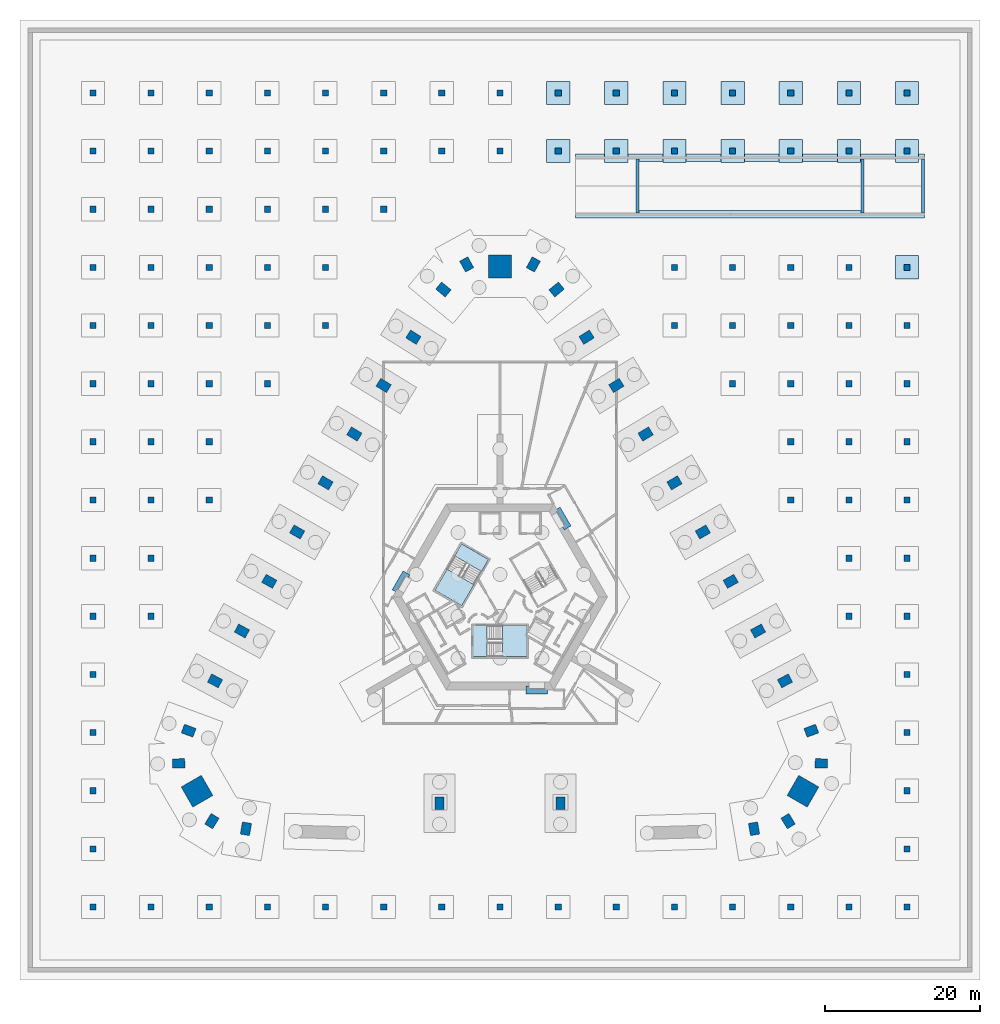
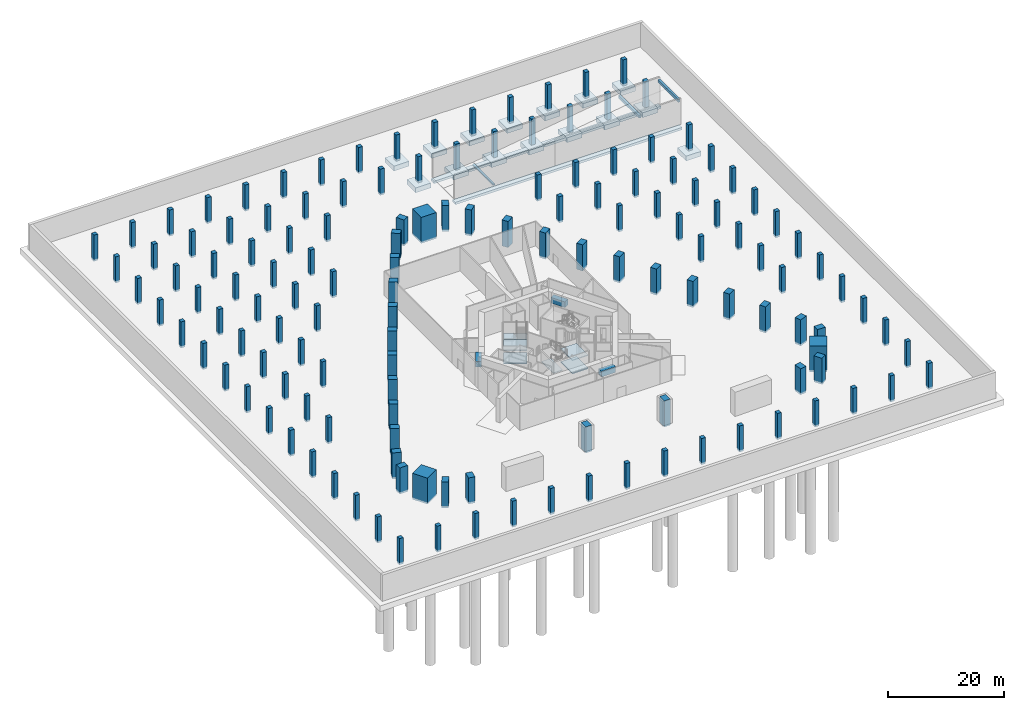
# One storey, part 3 of 14: 140 columns, 17 footings, 6 beams, 6 slabs, 2 elements without a shape of their own.
"""IFC4 building model written with IfcOpenShell, lengths in metres."""

import ifcopenshell
import ifcopenshell.guid

model = None  # the IFC model being written
_history = None  # IfcOwnerHistory: only IFC2X3 demands one
_inside = {}  # id of a spatial element -> (the spatial element, [elements in it])
_under = {}  # id of a project, library or spatial element -> (it, [spatial elements below it])
_declared = {}  # id of a project -> (the project, [libraries it declares])
_typed = {}  # id of a type object -> (the type object, [elements of that type])
_made_of = {}  # id of a material, layer set ... -> (it, [elements and type objects made of it])


def new_model(schema):
    """Start an empty IFC model of exactly this schema.

    Asked for "IFC4X3", IfcOpenShell would pick the latest addendum, in which some entities
    have other attributes; the version numbers below select the first issue.
    IFC2X3 requires an IfcOwnerHistory on every rooted entity: one is made here for all.
    """
    global model, _history
    if schema == "IFC4X3":
        model = ifcopenshell.file(schema_version=(4, 3, 0, 0))
    else:
        model = ifcopenshell.file(schema=schema)
    _inside.clear()
    _under.clear()
    _declared.clear()
    _typed.clear()
    _made_of.clear()
    _history = None
    if model.schema == "IFC2X3":
        org = make("IfcOrganization", Name="unknown")
        user = make(
            "IfcPersonAndOrganization",
            ThePerson=make("IfcPerson", FamilyName="unknown"),
            TheOrganization=org,
        )
        app = make(
            "IfcApplication",
            ApplicationDeveloper=org,
            Version="unknown",
            ApplicationFullName="unknown",
            ApplicationIdentifier="unknown",
        )
        _history = make(
            "IfcOwnerHistory",
            OwningUser=user,
            OwningApplication=app,
            ChangeAction="ADDED",
            CreationDate=0,
        )
    return model


def make(cls, **values):
    """One entity of the class cls with the attributes given. An attribute that is None is left unset."""
    return model.create_entity(
        cls, **{name: value for name, value in values.items() if value is not None}
    )


def rooted(cls, **values):
    """An entity with a GlobalId (a new one), such as an element, a storey or a relation."""
    return make(cls, GlobalId=ifcopenshell.guid.new(), OwnerHistory=_history, **values)


def si_unit(unit_type, name, prefix=None):
    """IfcSIUnit, for example si_unit("LENGTHUNIT", "METRE", prefix="MILLI")."""
    return make("IfcSIUnit", UnitType=unit_type, Prefix=prefix, Name=name)


def assignment(units):
    """IfcUnitAssignment: the units of a project."""
    return None if units is None else make("IfcUnitAssignment", Units=units)


def point(xyz):
    """IfcCartesianPoint."""
    return None if xyz is None else make("IfcCartesianPoint", Coordinates=xyz)


def direction(xyz):
    """IfcDirection."""
    return None if xyz is None else make("IfcDirection", DirectionRatios=xyz)


def frame(location, z_axis=None, x_axis=None):
    """IfcAxis2Placement3D, a coordinate frame: its origin and axes. An axis left out is left unset."""
    return make(
        "IfcAxis2Placement3D",
        Location=point(location),
        Axis=direction(z_axis),
        RefDirection=direction(x_axis),
    )


def frame_2d(location, x_axis=None):
    """IfcAxis2Placement2D, a coordinate frame in the plane: its origin and x axis."""
    return make(
        "IfcAxis2Placement2D", Location=point(location), RefDirection=direction(x_axis)
    )


def origin():
    """The frame at (0, 0, 0) with its axes left unset."""
    return frame((0.0, 0.0, 0.0))


def origin_2d():
    """The frame at (0, 0) in the plane with its x axis left unset."""
    return frame_2d((0.0, 0.0))


def place(relative_to, where):
    """IfcLocalPlacement: puts the frame where relative to a parent placement (None: the world)."""
    return make(
        "IfcLocalPlacement", PlacementRelTo=relative_to, RelativePlacement=where
    )


def context(
    kind, dimensions, precision=None, world=None, true_north=None, identifier=None
):
    """IfcGeometricRepresentationContext, for example the 3D "Model" context."""
    return make(
        "IfcGeometricRepresentationContext",
        ContextIdentifier=identifier,
        ContextType=kind,
        CoordinateSpaceDimension=dimensions,
        Precision=precision,
        WorldCoordinateSystem=world,
        TrueNorth=true_north,
    )


def subcontext(parent, identifier, kind, view, scale=None):
    """IfcGeometricRepresentationSubContext, for example "Body" below "Model"."""
    return make(
        "IfcGeometricRepresentationSubContext",
        ContextIdentifier=identifier,
        ContextType=kind,
        ParentContext=parent,
        TargetScale=scale,
        TargetView=view,
    )


def project(units=None, contexts=None):
    """IfcProject with its units and contexts."""
    return rooted(
        "IfcProject",
        Name="project",
        RepresentationContexts=contexts,
        UnitsInContext=assignment(units),
    )


def spatial(cls, under=None, at=None, **own):
    """A site, building, storey or space (cls), placed at a placement, below another one or the project."""
    s = rooted(cls, ObjectPlacement=at, **own)
    if under is not None:
        _under.setdefault(under.id(), (under, []))[1].append(s)
    return s


def polyline(points):
    """IfcPolyline through the points."""
    return make("IfcPolyline", Points=[point(p) for p in points])


def profile(cls, at=None, kind="AREA", **sizes):
    """A parametric profile (cls). Its sizes go by their IFC names, for example OverallWidth=200.0."""
    return make(cls, ProfileType=kind, Position=at, **sizes)


def rectangle(**sizes):
    """IfcRectangleProfileDef."""
    return profile("IfcRectangleProfileDef", **sizes)


def outline(outer, holes=None, kind="AREA"):
    """IfcArbitraryClosedProfileDef: a profile drawn as a closed curve; with holes, ...WithVoids."""
    if holes is None:
        return make("IfcArbitraryClosedProfileDef", ProfileType=kind, OuterCurve=outer)
    return make(
        "IfcArbitraryProfileDefWithVoids",
        ProfileType=kind,
        OuterCurve=outer,
        InnerCurves=holes,
    )


def extrude(swept, where, along, depth):
    """IfcExtrudedAreaSolid: the profile swept, set in the frame where, extruded along a direction by depth."""
    return make(
        "IfcExtrudedAreaSolid",
        SweptArea=swept,
        Position=where,
        ExtrudedDirection=direction(along),
        Depth=depth,
    )


def shape(context_of_items, identifier, shape_type, items):
    """IfcShapeRepresentation: the items that make up one representation, for example the "Body"."""
    return make(
        "IfcShapeRepresentation",
        ContextOfItems=context_of_items,
        RepresentationIdentifier=identifier,
        RepresentationType=shape_type,
        Items=items,
    )


def material(Name=None, Category=None):
    """IfcMaterial."""
    return make("IfcMaterial", Name=Name, Category=Category)


def layer(
    of_material, thickness, ventilated=None, Name=None, Category=None, Priority=None
):
    """IfcMaterialLayer: one layer of a wall or slab, of a material (None: an air gap)."""
    return make(
        "IfcMaterialLayer",
        Material=of_material,
        LayerThickness=thickness,
        IsVentilated=ventilated,
        Name=Name,
        Category=Category,
        Priority=Priority,
    )


def layer_set(layers, Name=None):
    """IfcMaterialLayerSet."""
    return make("IfcMaterialLayerSet", MaterialLayers=layers, LayerSetName=Name)


def material_profile(
    of_material, cross_section, Name=None, Category=None, Priority=None
):
    """IfcMaterialProfile: a cross section and its material."""
    return make(
        "IfcMaterialProfile",
        Name=Name,
        Material=of_material,
        Profile=cross_section,
        Priority=Priority,
        Category=Category,
    )


def profile_set(profiles, Name=None, composite=None):
    """IfcMaterialProfileSet."""
    return make(
        "IfcMaterialProfileSet",
        Name=Name,
        MaterialProfiles=profiles,
        CompositeProfile=composite,
    )


def made_of(thing, what):
    """Note that an element or type object is made of a material, layer set ...; save() writes the relation."""
    if what is not None:
        _made_of.setdefault(what.id(), (what, []))[1].append(thing)
    return thing


def type_object(cls, material=None, **own):
    """A type object (cls), such as IfcWallType, which elements share."""
    return made_of(rooted(cls, **own), material)


def element(
    cls,
    number,
    at=None,
    inside=None,
    cuts=None,
    type_object=None,
    material=None,
    context=None,
    identifier="Body",
    shape_type=None,
    held_by="IfcProductDefinitionShape",
    body=None,
    shapes=None,
    **own,
):
    """One element of the class cls, such as IfcWall. Its Tag is "e" and its number.

    at: its placement. inside: the storey or other place that contains it. cuts: it is an
    opening in that element (IfcRelVoidsElement). A single representation is given by context,
    identifier, shape_type and body (its items); several are given by shapes. held_by: the class
    of the entity that holds the representations. save() writes the other relations.
    """
    e = rooted(cls, Tag="e%d" % number, ObjectPlacement=at, **own)
    if body is not None:
        shapes = [shape(context, identifier, shape_type, body)]
    if shapes is not None:
        e.Representation = make(held_by, Representations=shapes)
    if inside is not None:
        _inside.setdefault(inside.id(), (inside, []))[1].append(e)
    if cuts is not None:
        rooted(
            "IfcRelVoidsElement", RelatingBuildingElement=cuts, RelatedOpeningElement=e
        )
    if type_object is not None:
        _typed.setdefault(type_object.id(), (type_object, []))[1].append(e)
    return made_of(e, material)


def aggregate(whole, parts):
    """IfcRelAggregates: a whole, such as a stair, and the parts it consists of."""
    return rooted("IfcRelAggregates", RelatingObject=whole, RelatedObjects=parts)


def save(model, path):
    """Write the relations noted so far, then the file.

    IfcRelAggregates (storeys below a building ...), IfcRelContainedInSpatialStructure (elements
    in a storey), IfcRelDefinesByType, IfcRelAssociatesMaterial and IfcRelDeclares: one each for
    every whole, place, type object, material and project.
    """
    for whole, parts in _under.values():
        aggregate(whole, parts)
    for where, things in _inside.values():
        rooted(
            "IfcRelContainedInSpatialStructure",
            RelatedElements=things,
            RelatingStructure=where,
        )
    for kind, things in _typed.values():
        rooted("IfcRelDefinesByType", RelatedObjects=things, RelatingType=kind)
    for what, things in _made_of.values():
        rooted("IfcRelAssociatesMaterial", RelatedObjects=things, RelatingMaterial=what)
    for by, libraries in _declared.values():
        rooted("IfcRelDeclares", RelatingContext=by, RelatedDefinitions=libraries)
    model.write(path)


model = new_model("IFC4")

# Units and contexts
model_context = context("Model", 3, precision=1e-05, world=origin(), true_north=direction((0.0, 1.0)))
body_context = subcontext(model_context, "Body", "Model", "MODEL_VIEW")
ifc_project = project(units=[si_unit("LENGTHUNIT", "METRE"), si_unit("AREAUNIT", "SQUARE_METRE"), si_unit("VOLUMEUNIT", "CUBIC_METRE"), si_unit("PLANEANGLEUNIT", "RADIAN"), si_unit("MASSUNIT", "GRAM", prefix="KILO")], contexts=[model_context])

# Site, building, storey
site_placement = place(None, origin())
site = spatial("IfcSite", under=ifc_project, at=site_placement, CompositionType="ELEMENT")
building_placement = place(site_placement, origin())
building = spatial("IfcBuilding", under=site, at=building_placement, Name="Entoto Arch Interchange Tower", CompositionType="ELEMENT")
storey_placement = place(building_placement, frame((0.0, 0.0, -16.5)))
storey = spatial("IfcBuildingStorey", under=building, at=storey_placement, Name="B3", CompositionType="ELEMENT", Elevation=-16.5)

# Footings
ifc_material_1 = material(Name="Concrete C35/45", Category="concrete")
ifc_layer_1 = layer(ifc_material_1, 0.5)
ifc_layer_set_1 = layer_set([ifc_layer_1], Name="Concrete C35/45")
footing_type_1 = type_object("IfcFootingType", Name="Car ramp kerb strip footing 1000 C35/45", PredefinedType="STRIP_FOOTING", material=ifc_layer_set_1)
footing_1_placement = place(storey_placement, frame((0.0, 0.0, -0.89990234375)))
element("IfcFooting", 1, at=footing_1_placement, inside=storey, type_object=footing_type_1, Name="Car ramp R3 kerb strip footing", PredefinedType="STRIP_FOOTING", context=body_context, shape_type="SweptSolid", body=[
    extrude(outline(polyline([(54.75, 51.35009765625), (54.75, 52.35009765625), (9.75, 52.35009765625), (9.75, 51.35009765625), (54.75, 51.35009765625)])), origin(), (0.0, 0.0, 1.0), 0.5),
])
footing_2_placement = place(storey_placement, frame((0.0, 0.0, -0.89990234375)))
element("IfcFooting", 2, at=footing_2_placement, inside=storey, type_object=footing_type_1, Name="Car ramp R3 kerb strip footing", PredefinedType="STRIP_FOOTING", context=body_context, shape_type="SweptSolid", body=[
    extrude(outline(polyline([(54.75, 58.64990234375), (54.75, 59.64990234375), (9.75, 59.64990234375), (9.75, 58.64990234375), (54.75, 58.64990234375)])), origin(), (0.0, 0.0, 1.0), 0.5),
])
ifc_layer_2 = layer(ifc_material_1, 1.0)
ifc_layer_set_2 = layer_set([ifc_layer_2], Name="Concrete C35/45")
footing_type_2 = type_object("IfcFootingType", Name="Pad footing 3000 C35/45", PredefinedType="PAD_FOOTING", material=ifc_layer_set_2)
footing_3_placement = place(storey_placement, frame((0.0, 0.0, -1.39990234375)))
element("IfcFooting", 3, at=footing_3_placement, inside=storey, type_object=footing_type_2, Name="Pad footing +7.5 +60.0", PredefinedType="PAD_FOOTING", context=body_context, shape_type="SweptSolid", body=[
    extrude(outline(polyline([(9.0, 58.5), (9.0, 61.5), (6.0, 61.5), (6.0, 58.5), (9.0, 58.5)])), origin(), (0.0, 0.0, 1.0), 1.0),
])
footing_4_placement = place(storey_placement, frame((0.0, 0.0, -1.39990234375)))
element("IfcFooting", 4, at=footing_4_placement, inside=storey, type_object=footing_type_2, Name="Pad footing +7.5 +67.5", PredefinedType="PAD_FOOTING", context=body_context, shape_type="SweptSolid", body=[
    extrude(outline(polyline([(9.0, 66.0), (9.0, 69.0), (6.0, 69.0), (6.0, 66.0), (9.0, 66.0)])), origin(), (0.0, 0.0, 1.0), 1.0),
])
footing_5_placement = place(storey_placement, frame((0.0, 0.0, -1.39990234375)))
element("IfcFooting", 5, at=footing_5_placement, inside=storey, type_object=footing_type_2, Name="Pad footing +15.0 +60.0", PredefinedType="PAD_FOOTING", context=body_context, shape_type="SweptSolid", body=[
    extrude(outline(polyline([(16.5, 58.5), (16.5, 61.5), (13.5, 61.5), (13.5, 58.5), (16.5, 58.5)])), origin(), (0.0, 0.0, 1.0), 1.0),
])
footing_6_placement = place(storey_placement, frame((0.0, 0.0, -1.39990234375)))
element("IfcFooting", 6, at=footing_6_placement, inside=storey, type_object=footing_type_2, Name="Pad footing +15.0 +67.5", PredefinedType="PAD_FOOTING", context=body_context, shape_type="SweptSolid", body=[
    extrude(outline(polyline([(16.5, 66.0), (16.5, 69.0), (13.5, 69.0), (13.5, 66.0), (16.5, 66.0)])), origin(), (0.0, 0.0, 1.0), 1.0),
])
footing_7_placement = place(storey_placement, frame((0.0, 0.0, -1.39990234375)))
element("IfcFooting", 7, at=footing_7_placement, inside=storey, type_object=footing_type_2, Name="Pad footing +22.5 +60.0", PredefinedType="PAD_FOOTING", context=body_context, shape_type="SweptSolid", body=[
    extrude(outline(polyline([(24.0, 58.5), (24.0, 61.5), (21.0, 61.5), (21.0, 58.5), (24.0, 58.5)])), origin(), (0.0, 0.0, 1.0), 1.0),
])
footing_8_placement = place(storey_placement, frame((0.0, 0.0, -1.39990234375)))
element("IfcFooting", 8, at=footing_8_placement, inside=storey, type_object=footing_type_2, Name="Pad footing +22.5 +67.5", PredefinedType="PAD_FOOTING", context=body_context, shape_type="SweptSolid", body=[
    extrude(outline(polyline([(24.0, 66.0), (24.0, 69.0), (21.0, 69.0), (21.0, 66.0), (24.0, 66.0)])), origin(), (0.0, 0.0, 1.0), 1.0),
])
footing_9_placement = place(storey_placement, frame((0.0, 0.0, -1.39990234375)))
element("IfcFooting", 9, at=footing_9_placement, inside=storey, type_object=footing_type_2, Name="Pad footing +30.0 +60.0", PredefinedType="PAD_FOOTING", context=body_context, shape_type="SweptSolid", body=[
    extrude(outline(polyline([(31.5, 58.5), (31.5, 61.5), (28.5, 61.5), (28.5, 58.5), (31.5, 58.5)])), origin(), (0.0, 0.0, 1.0), 1.0),
])
footing_10_placement = place(storey_placement, frame((0.0, 0.0, -1.39990234375)))
element("IfcFooting", 10, at=footing_10_placement, inside=storey, type_object=footing_type_2, Name="Pad footing +30.0 +67.5", PredefinedType="PAD_FOOTING", context=body_context, shape_type="SweptSolid", body=[
    extrude(outline(polyline([(31.5, 66.0), (31.5, 69.0), (28.5, 69.0), (28.5, 66.0), (31.5, 66.0)])), origin(), (0.0, 0.0, 1.0), 1.0),
])
footing_11_placement = place(storey_placement, frame((0.0, 0.0, -1.39990234375)))
element("IfcFooting", 11, at=footing_11_placement, inside=storey, type_object=footing_type_2, Name="Pad footing +37.5 +60.0", PredefinedType="PAD_FOOTING", context=body_context, shape_type="SweptSolid", body=[
    extrude(outline(polyline([(39.0, 58.5), (39.0, 61.5), (36.0, 61.5), (36.0, 58.5), (39.0, 58.5)])), origin(), (0.0, 0.0, 1.0), 1.0),
])
footing_12_placement = place(storey_placement, frame((0.0, 0.0, -1.39990234375)))
element("IfcFooting", 12, at=footing_12_placement, inside=storey, type_object=footing_type_2, Name="Pad footing +37.5 +67.5", PredefinedType="PAD_FOOTING", context=body_context, shape_type="SweptSolid", body=[
    extrude(outline(polyline([(39.0, 66.0), (39.0, 69.0), (36.0, 69.0), (36.0, 66.0), (39.0, 66.0)])), origin(), (0.0, 0.0, 1.0), 1.0),
])
footing_13_placement = place(storey_placement, frame((0.0, 0.0, -1.39990234375)))
element("IfcFooting", 13, at=footing_13_placement, inside=storey, type_object=footing_type_2, Name="Pad footing +45.0 +60.0", PredefinedType="PAD_FOOTING", context=body_context, shape_type="SweptSolid", body=[
    extrude(outline(polyline([(46.5, 58.5), (46.5, 61.5), (43.5, 61.5), (43.5, 58.5), (46.5, 58.5)])), origin(), (0.0, 0.0, 1.0), 1.0),
])
footing_14_placement = place(storey_placement, frame((0.0, 0.0, -1.39990234375)))
element("IfcFooting", 14, at=footing_14_placement, inside=storey, type_object=footing_type_2, Name="Pad footing +45.0 +67.5", PredefinedType="PAD_FOOTING", context=body_context, shape_type="SweptSolid", body=[
    extrude(outline(polyline([(46.5, 66.0), (46.5, 69.0), (43.5, 69.0), (43.5, 66.0), (46.5, 66.0)])), origin(), (0.0, 0.0, 1.0), 1.0),
])
footing_15_placement = place(storey_placement, frame((0.0, 0.0, -1.39990234375)))
element("IfcFooting", 15, at=footing_15_placement, inside=storey, type_object=footing_type_2, Name="Pad footing +52.5 +45.0", PredefinedType="PAD_FOOTING", context=body_context, shape_type="SweptSolid", body=[
    extrude(outline(polyline([(54.0, 43.5), (54.0, 46.5), (51.0, 46.5), (51.0, 43.5), (54.0, 43.5)])), origin(), (0.0, 0.0, 1.0), 1.0),
])
footing_16_placement = place(storey_placement, frame((0.0, 0.0, -1.39990234375)))
element("IfcFooting", 16, at=footing_16_placement, inside=storey, type_object=footing_type_2, Name="Pad footing +52.5 +60.0", PredefinedType="PAD_FOOTING", context=body_context, shape_type="SweptSolid", body=[
    extrude(outline(polyline([(54.0, 58.5), (54.0, 61.5), (51.0, 61.5), (51.0, 58.5), (54.0, 58.5)])), origin(), (0.0, 0.0, 1.0), 1.0),
])
footing_17_placement = place(storey_placement, frame((0.0, 0.0, -1.39990234375)))
element("IfcFooting", 17, at=footing_17_placement, inside=storey, type_object=footing_type_2, Name="Pad footing +52.5 +67.5", PredefinedType="PAD_FOOTING", context=body_context, shape_type="SweptSolid", body=[
    extrude(outline(polyline([(54.0, 66.0), (54.0, 69.0), (51.0, 69.0), (51.0, 66.0), (54.0, 66.0)])), origin(), (0.0, 0.0, 1.0), 1.0),
])

# Columns
ifc_material_2 = material(Name="Concrete C60/75", Category="concrete")
ifc_material_profile_1 = material_profile(ifc_material_2, rectangle(XDim=1.199951171875, YDim=1.60009765625, at=origin_2d()))
ifc_profile_set_1 = profile_set([ifc_material_profile_1], Name="Concrete C60/75")
column_type_1 = type_object("IfcColumnType", Name="Column RC 1200x1600 C60/75", PredefinedType="COLUMN", material=ifc_profile_set_1)
for number, where, z_axis, x_axis, name in (
    (18, (-32.760986328125, -27.39697265625, -0.39990234375), (0.0, 0.0, 1.0), (-0.98600476771, 0.166717119856, 0.0), "Column S01 B3"),
    (19, (32.760986328125, -27.39697265625, -0.39990234375), (0.0, 0.0, 1.0), (0.98600476771, 0.166717119856, 0.0), "Column S06 B3"),
    (20, (37.152099609375, -26.410888671875, -0.39990234375), (0.0, 0.0, 1.0), (0.854522294989, 0.519414716163, 0.0), "Column SE1 B3"),
    (21, (41.447998046875, -18.968994140625, -0.39990234375), (0.0, 0.0, 1.0), (0.022565191802, 0.999745373642, 0.0), "Column SE3 B3"),
    (22, (40.14697265625, -14.7509765625, -0.39990234375), (0.0, 0.0, 1.0), (-0.348277574304, 0.937391450375, 0.0), "Column NE01 B3"),
    (23, (36.7529296875, -8.324951171875, -0.39990234375), (0.0, 0.0, 1.0), (-0.46931745221, 0.883029517656, 0.0), "Column NE02 B3"),
    (24, (33.282958984375, -1.888916015625, -0.39990234375), (0.0, 0.0, 1.0), (-0.478140110514, 0.878283573066, 0.0), "Column NE03 B3"),
    (25, (29.75, 4.511962890625, -0.39990234375), (0.0, 0.0, 1.0), (-0.486914781103, 0.873449481048, 0.0), "Column NE04 B3"),
    (26, (26.155029296875, 10.8798828125, -0.39990234375), (0.0, 0.0, 1.0), (-0.495655741916, 0.868519076074, 0.0), "Column NE05 B3"),
    (27, (22.5, 17.2109375, -0.39990234375), (0.0, 0.0, 1.0), (-0.504331712594, 0.863510002068, 0.0), "Column NE06 B3"),
    (28, (18.781982421875, 23.508056640625, -0.39990234375), (0.0, 0.0, 1.0), (-0.512972048958, 0.858405310438, 0.0), "Column NE07 B3"),
    (29, (15.0048828125, 29.76904296875, -0.39990234375), (0.0, 0.0, 1.0), (-0.521545830745, 0.853223268806, 0.0), "Column NE08 B3"),
    (30, (11.1669921875, 35.992919921875, -0.39990234375), (0.0, 0.0, 1.0), (-0.530067268476, 0.847955594881, 0.0), "Column NE09 B3"),
    (31, (7.299072265625, 42.14404296875, -0.39990234375), (0.0, 0.0, 1.0), (-0.637666022163, 0.770312952103, 0.0), "Column NE10 B3"),
    (32, (4.297119140625, 45.3798828125, -0.39990234375), (0.0, 0.0, 1.0), (-0.877079103306, 0.48034596547, 0.0), "Column N1 B3"),
    (33, (-4.297119140625, 45.3798828125, -0.39990234375), (0.0, 0.0, 1.0), (0.877079103306, 0.48034596547, 0.0), "Column N3 B3"),
    (34, (-7.299072265625, 42.14404296875, -0.39990234375), (0.0, 0.0, 1.0), (0.637666022163, 0.770312952103, 0.0), "Column NW01 B3"),
    (35, (-11.1669921875, 35.992919921875, -0.39990234375), (0.0, 0.0, 1.0), (0.530067268476, 0.847955594881, 0.0), "Column NW02 B3"),
    (36, (-15.0048828125, 29.76904296875, -0.39990234375), (0.0, 0.0, 1.0), (0.521545830745, 0.853223268806, 0.0), "Column NW03 B3"),
    (37, (-18.781982421875, 23.508056640625, -0.39990234375), (0.0, 0.0, 1.0), (0.512972048958, 0.858405310438, 0.0), "Column NW04 B3"),
    (38, (-22.5, 17.2109375, -0.39990234375), (0.0, 0.0, 1.0), (0.504331712594, 0.863510002068, 0.0), "Column NW05 B3"),
    (39, (-26.155029296875, 10.8798828125, -0.39990234375), (0.0, 0.0, 1.0), (0.495655741916, 0.868519076074, 0.0), "Column NW06 B3"),
    (40, (-29.75, 4.511962890625, -0.39990234375), (0.0, 0.0, 1.0), (0.486914781103, 0.873449481048, 0.0), "Column NW07 B3"),
    (41, (-33.282958984375, -1.888916015625, -0.39990234375), (0.0, 0.0, 1.0), (0.478140110514, 0.878283573066, 0.0), "Column NW08 B3"),
    (42, (-36.7529296875, -8.324951171875, -0.39990234375), (0.0, 0.0, 1.0), (0.46931745221, 0.883029517656, 0.0), "Column NW09 B3"),
    (43, (-40.14697265625, -14.7509765625, -0.39990234375), (0.0, 0.0, 1.0), (0.348277574304, 0.937391450375, 0.0), "Column NW10 B3"),
    (44, (-41.447998046875, -18.968994140625, -0.39990234375), (0.0, 0.0, 1.0), (-0.022565191802, 0.999745373642, 0.0), "Column SW1 B3"),
    (45, (-37.152099609375, -26.410888671875, -0.39990234375), (0.0, 0.0, 1.0), (-0.854522294989, 0.519414716163, 0.0), "Column SW3 B3"),
    (46, (-7.800048828125, -24.10009765625, -0.39990234375), (0.0, 0.0, 1.0), (1.0, 0.0, 0.0), "Column ARC-W B3"),
    (47, (7.800048828125, -24.10009765625, -0.39990234375), (0.0, 0.0, 1.0), (1.0, 0.0, 0.0), "Column ARC-E B3"),
):
    element("IfcColumn", number, at=place(storey_placement, frame(where, z_axis=z_axis, x_axis=x_axis)), inside=storey, type_object=column_type_1, Name=name, PredefinedType="COLUMN", context=body_context, shape_type="SweptSolid", body=[
        extrude(rectangle(XDim=1.199951171875, YDim=1.60009765625, at=origin_2d()), origin(), (0.0, 0.0, 1.0), 5.47998046875),
    ])
ifc_material_3 = material(Name="Concrete C40/50", Category="concrete")
ifc_material_profile_2 = material_profile(ifc_material_3, rectangle(XDim=0.800048828125, YDim=0.800048828125, at=origin_2d()))
ifc_profile_set_2 = profile_set([ifc_material_profile_2], Name="Concrete C40/50")
column_type_2 = type_object("IfcColumnType", Name="Column RC 800x800 C40/50", PredefinedType="COLUMN", material=ifc_profile_set_2)
for number, where, z_axis, x_axis, name in (
    (48, (-52.5, -37.5, -0.39990234375), (0.0, 0.0, 1.0), (1.0, 0.0, 0.0), "Grid column -52.5 -37.5 B3"),
    (49, (-52.5, -30.0, -0.39990234375), (0.0, 0.0, 1.0), (1.0, 0.0, 0.0), "Grid column -52.5 -30.0 B3"),
    (50, (-52.5, -22.5, -0.39990234375), (0.0, 0.0, 1.0), (1.0, 0.0, 0.0), "Grid column -52.5 -22.5 B3"),
    (51, (-52.5, -15.0, -0.39990234375), (0.0, 0.0, 1.0), (1.0, 0.0, 0.0), "Grid column -52.5 -15.0 B3"),
    (52, (-52.5, -7.5, -0.39990234375), (0.0, 0.0, 1.0), (1.0, 0.0, 0.0), "Grid column -52.5 -7.5 B3"),
    (53, (-52.5, 0.0, -0.39990234375), (0.0, 0.0, 1.0), (1.0, 0.0, 0.0), "Grid column -52.5 +0.0 B3"),
    (54, (-52.5, 7.5, -0.39990234375), (0.0, 0.0, 1.0), (1.0, 0.0, 0.0), "Grid column -52.5 +7.5 B3"),
    (55, (-52.5, 15.0, -0.39990234375), (0.0, 0.0, 1.0), (1.0, 0.0, 0.0), "Grid column -52.5 +15.0 B3"),
    (56, (-52.5, 22.5, -0.39990234375), (0.0, 0.0, 1.0), (1.0, 0.0, 0.0), "Grid column -52.5 +22.5 B3"),
    (57, (-52.5, 30.0, -0.39990234375), (0.0, 0.0, 1.0), (1.0, 0.0, 0.0), "Grid column -52.5 +30.0 B3"),
    (58, (-52.5, 37.5, -0.39990234375), (0.0, 0.0, 1.0), (1.0, 0.0, 0.0), "Grid column -52.5 +37.5 B3"),
    (59, (-52.5, 45.0, -0.39990234375), (0.0, 0.0, 1.0), (1.0, 0.0, 0.0), "Grid column -52.5 +45.0 B3"),
    (60, (-52.5, 52.5, -0.39990234375), (0.0, 0.0, 1.0), (1.0, 0.0, 0.0), "Grid column -52.5 +52.5 B3"),
    (61, (-52.5, 60.0, -0.39990234375), (0.0, 0.0, 1.0), (1.0, 0.0, 0.0), "Grid column -52.5 +60.0 B3"),
    (62, (-52.5, 67.5, -0.39990234375), (0.0, 0.0, 1.0), (1.0, 0.0, 0.0), "Grid column -52.5 +67.5 B3"),
    (63, (-45.0, -37.5, -0.39990234375), (0.0, 0.0, 1.0), (1.0, 0.0, 0.0), "Grid column -45.0 -37.5 B3"),
    (64, (-45.0, 0.0, -0.39990234375), (0.0, 0.0, 1.0), (1.0, 0.0, 0.0), "Grid column -45.0 +0.0 B3"),
    (65, (-45.0, 7.5, -0.39990234375), (0.0, 0.0, 1.0), (1.0, 0.0, 0.0), "Grid column -45.0 +7.5 B3"),
    (66, (-45.0, 15.0, -0.39990234375), (0.0, 0.0, 1.0), (1.0, 0.0, 0.0), "Grid column -45.0 +15.0 B3"),
    (67, (-45.0, 22.5, -0.39990234375), (0.0, 0.0, 1.0), (1.0, 0.0, 0.0), "Grid column -45.0 +22.5 B3"),
    (68, (-45.0, 30.0, -0.39990234375), (0.0, 0.0, 1.0), (1.0, 0.0, 0.0), "Grid column -45.0 +30.0 B3"),
    (69, (-45.0, 37.5, -0.39990234375), (0.0, 0.0, 1.0), (1.0, 0.0, 0.0), "Grid column -45.0 +37.5 B3"),
    (70, (-45.0, 45.0, -0.39990234375), (0.0, 0.0, 1.0), (1.0, 0.0, 0.0), "Grid column -45.0 +45.0 B3"),
    (71, (-45.0, 52.5, -0.39990234375), (0.0, 0.0, 1.0), (1.0, 0.0, 0.0), "Grid column -45.0 +52.5 B3"),
    (72, (-45.0, 60.0, -0.39990234375), (0.0, 0.0, 1.0), (1.0, 0.0, 0.0), "Grid column -45.0 +60.0 B3"),
    (73, (-45.0, 67.5, -0.39990234375), (0.0, 0.0, 1.0), (1.0, 0.0, 0.0), "Grid column -45.0 +67.5 B3"),
    (74, (-37.5, -37.5, -0.39990234375), (0.0, 0.0, 1.0), (1.0, 0.0, 0.0), "Grid column -37.5 -37.5 B3"),
    (75, (-37.5, 15.0, -0.39990234375), (0.0, 0.0, 1.0), (1.0, 0.0, 0.0), "Grid column -37.5 +15.0 B3"),
    (76, (-37.5, 22.5, -0.39990234375), (0.0, 0.0, 1.0), (1.0, 0.0, 0.0), "Grid column -37.5 +22.5 B3"),
    (77, (-37.5, 30.0, -0.39990234375), (0.0, 0.0, 1.0), (1.0, 0.0, 0.0), "Grid column -37.5 +30.0 B3"),
    (78, (-37.5, 37.5, -0.39990234375), (0.0, 0.0, 1.0), (1.0, 0.0, 0.0), "Grid column -37.5 +37.5 B3"),
    (79, (-37.5, 45.0, -0.39990234375), (0.0, 0.0, 1.0), (1.0, 0.0, 0.0), "Grid column -37.5 +45.0 B3"),
    (80, (-37.5, 52.5, -0.39990234375), (0.0, 0.0, 1.0), (1.0, 0.0, 0.0), "Grid column -37.5 +52.5 B3"),
    (81, (-37.5, 60.0, -0.39990234375), (0.0, 0.0, 1.0), (1.0, 0.0, 0.0), "Grid column -37.5 +60.0 B3"),
    (82, (-37.5, 67.5, -0.39990234375), (0.0, 0.0, 1.0), (1.0, 0.0, 0.0), "Grid column -37.5 +67.5 B3"),
    (83, (-30.0, -37.5, -0.39990234375), (0.0, 0.0, 1.0), (1.0, 0.0, 0.0), "Grid column -30.0 -37.5 B3"),
    (84, (-30.0, 30.0, -0.39990234375), (0.0, 0.0, 1.0), (1.0, 0.0, 0.0), "Grid column -30.0 +30.0 B3"),
    (85, (-30.0, 37.5, -0.39990234375), (0.0, 0.0, 1.0), (1.0, 0.0, 0.0), "Grid column -30.0 +37.5 B3"),
    (86, (-30.0, 45.0, -0.39990234375), (0.0, 0.0, 1.0), (1.0, 0.0, 0.0), "Grid column -30.0 +45.0 B3"),
    (87, (-30.0, 52.5, -0.39990234375), (0.0, 0.0, 1.0), (1.0, 0.0, 0.0), "Grid column -30.0 +52.5 B3"),
    (88, (-30.0, 60.0, -0.39990234375), (0.0, 0.0, 1.0), (1.0, 0.0, 0.0), "Grid column -30.0 +60.0 B3"),
    (89, (-30.0, 67.5, -0.39990234375), (0.0, 0.0, 1.0), (1.0, 0.0, 0.0), "Grid column -30.0 +67.5 B3"),
    (90, (-22.5, -37.5, -0.39990234375), (0.0, 0.0, 1.0), (1.0, 0.0, 0.0), "Grid column -22.5 -37.5 B3"),
    (91, (-22.5, 37.5, -0.39990234375), (0.0, 0.0, 1.0), (1.0, 0.0, 0.0), "Grid column -22.5 +37.5 B3"),
    (92, (-22.5, 45.0, -0.39990234375), (0.0, 0.0, 1.0), (1.0, 0.0, 0.0), "Grid column -22.5 +45.0 B3"),
    (93, (-22.5, 52.5, -0.39990234375), (0.0, 0.0, 1.0), (1.0, 0.0, 0.0), "Grid column -22.5 +52.5 B3"),
    (94, (-22.5, 60.0, -0.39990234375), (0.0, 0.0, 1.0), (1.0, 0.0, 0.0), "Grid column -22.5 +60.0 B3"),
    (95, (-22.5, 67.5, -0.39990234375), (0.0, 0.0, 1.0), (1.0, 0.0, 0.0), "Grid column -22.5 +67.5 B3"),
    (96, (-15.0, -37.5, -0.39990234375), (0.0, 0.0, 1.0), (1.0, 0.0, 0.0), "Grid column -15.0 -37.5 B3"),
    (97, (-15.0, 52.5, -0.39990234375), (0.0, 0.0, 1.0), (1.0, 0.0, 0.0), "Grid column -15.0 +52.5 B3"),
    (98, (-15.0, 60.0, -0.39990234375), (0.0, 0.0, 1.0), (1.0, 0.0, 0.0), "Grid column -15.0 +60.0 B3"),
    (99, (-15.0, 67.5, -0.39990234375), (0.0, 0.0, 1.0), (1.0, 0.0, 0.0), "Grid column -15.0 +67.5 B3"),
    (100, (-7.5, -37.5, -0.39990234375), (0.0, 0.0, 1.0), (1.0, 0.0, 0.0), "Grid column -7.5 -37.5 B3"),
    (101, (-7.5, 60.0, -0.39990234375), (0.0, 0.0, 1.0), (1.0, 0.0, 0.0), "Grid column -7.5 +60.0 B3"),
    (102, (-7.5, 67.5, -0.39990234375), (0.0, 0.0, 1.0), (1.0, 0.0, 0.0), "Grid column -7.5 +67.5 B3"),
    (103, (0.0, -37.5, -0.39990234375), (0.0, 0.0, 1.0), (1.0, 0.0, 0.0), "Grid column +0.0 -37.5 B3"),
    (104, (0.0, 60.0, -0.39990234375), (0.0, 0.0, 1.0), (1.0, 0.0, 0.0), "Grid column +0.0 +60.0 B3"),
    (105, (0.0, 67.5, -0.39990234375), (0.0, 0.0, 1.0), (1.0, 0.0, 0.0), "Grid column +0.0 +67.5 B3"),
    (106, (7.5, -37.5, -0.39990234375), (0.0, 0.0, 1.0), (1.0, 0.0, 0.0), "Grid column +7.5 -37.5 B3"),
    (107, (7.5, 60.0, -0.39990234375), (0.0, 0.0, 1.0), (1.0, 0.0, 0.0), "Grid column +7.5 +60.0 B3"),
    (108, (7.5, 67.5, -0.39990234375), (0.0, 0.0, 1.0), (1.0, 0.0, 0.0), "Grid column +7.5 +67.5 B3"),
    (109, (15.0, -37.5, -0.39990234375), (0.0, 0.0, 1.0), (1.0, 0.0, 0.0), "Grid column +15.0 -37.5 B3"),
    (110, (15.0, 60.0, -0.39990234375), (0.0, 0.0, 1.0), (1.0, 0.0, 0.0), "Grid column +15.0 +60.0 B3"),
    (111, (15.0, 67.5, -0.39990234375), (0.0, 0.0, 1.0), (1.0, 0.0, 0.0), "Grid column +15.0 +67.5 B3"),
    (112, (22.5, -37.5, -0.39990234375), (0.0, 0.0, 1.0), (1.0, 0.0, 0.0), "Grid column +22.5 -37.5 B3"),
    (113, (22.5, 37.5, -0.39990234375), (0.0, 0.0, 1.0), (1.0, 0.0, 0.0), "Grid column +22.5 +37.5 B3"),
    (114, (22.5, 45.0, -0.39990234375), (0.0, 0.0, 1.0), (1.0, 0.0, 0.0), "Grid column +22.5 +45.0 B3"),
    (115, (22.5, 60.0, -0.39990234375), (0.0, 0.0, 1.0), (1.0, 0.0, 0.0), "Grid column +22.5 +60.0 B3"),
    (116, (22.5, 67.5, -0.39990234375), (0.0, 0.0, 1.0), (1.0, 0.0, 0.0), "Grid column +22.5 +67.5 B3"),
    (117, (30.0, -37.5, -0.39990234375), (0.0, 0.0, 1.0), (1.0, 0.0, 0.0), "Grid column +30.0 -37.5 B3"),
    (118, (30.0, 30.0, -0.39990234375), (0.0, 0.0, 1.0), (1.0, 0.0, 0.0), "Grid column +30.0 +30.0 B3"),
    (119, (30.0, 37.5, -0.39990234375), (0.0, 0.0, 1.0), (1.0, 0.0, 0.0), "Grid column +30.0 +37.5 B3"),
    (120, (30.0, 45.0, -0.39990234375), (0.0, 0.0, 1.0), (1.0, 0.0, 0.0), "Grid column +30.0 +45.0 B3"),
    (121, (30.0, 60.0, -0.39990234375), (0.0, 0.0, 1.0), (1.0, 0.0, 0.0), "Grid column +30.0 +60.0 B3"),
    (122, (30.0, 67.5, -0.39990234375), (0.0, 0.0, 1.0), (1.0, 0.0, 0.0), "Grid column +30.0 +67.5 B3"),
    (123, (37.5, -37.5, -0.39990234375), (0.0, 0.0, 1.0), (1.0, 0.0, 0.0), "Grid column +37.5 -37.5 B3"),
    (124, (37.5, 15.0, -0.39990234375), (0.0, 0.0, 1.0), (1.0, 0.0, 0.0), "Grid column +37.5 +15.0 B3"),
    (125, (37.5, 22.5, -0.39990234375), (0.0, 0.0, 1.0), (1.0, 0.0, 0.0), "Grid column +37.5 +22.5 B3"),
    (126, (37.5, 30.0, -0.39990234375), (0.0, 0.0, 1.0), (1.0, 0.0, 0.0), "Grid column +37.5 +30.0 B3"),
    (127, (37.5, 37.5, -0.39990234375), (0.0, 0.0, 1.0), (1.0, 0.0, 0.0), "Grid column +37.5 +37.5 B3"),
    (128, (37.5, 45.0, -0.39990234375), (0.0, 0.0, 1.0), (1.0, 0.0, 0.0), "Grid column +37.5 +45.0 B3"),
    (129, (37.5, 60.0, -0.39990234375), (0.0, 0.0, 1.0), (1.0, 0.0, 0.0), "Grid column +37.5 +60.0 B3"),
    (130, (37.5, 67.5, -0.39990234375), (0.0, 0.0, 1.0), (1.0, 0.0, 0.0), "Grid column +37.5 +67.5 B3"),
    (131, (45.0, -37.5, -0.39990234375), (0.0, 0.0, 1.0), (1.0, 0.0, 0.0), "Grid column +45.0 -37.5 B3"),
    (132, (45.0, 0.0, -0.39990234375), (0.0, 0.0, 1.0), (1.0, 0.0, 0.0), "Grid column +45.0 +0.0 B3"),
    (133, (45.0, 7.5, -0.39990234375), (0.0, 0.0, 1.0), (1.0, 0.0, 0.0), "Grid column +45.0 +7.5 B3"),
    (134, (45.0, 15.0, -0.39990234375), (0.0, 0.0, 1.0), (1.0, 0.0, 0.0), "Grid column +45.0 +15.0 B3"),
    (135, (45.0, 22.5, -0.39990234375), (0.0, 0.0, 1.0), (1.0, 0.0, 0.0), "Grid column +45.0 +22.5 B3"),
    (136, (45.0, 30.0, -0.39990234375), (0.0, 0.0, 1.0), (1.0, 0.0, 0.0), "Grid column +45.0 +30.0 B3"),
    (137, (45.0, 37.5, -0.39990234375), (0.0, 0.0, 1.0), (1.0, 0.0, 0.0), "Grid column +45.0 +37.5 B3"),
    (138, (45.0, 45.0, -0.39990234375), (0.0, 0.0, 1.0), (1.0, 0.0, 0.0), "Grid column +45.0 +45.0 B3"),
    (139, (45.0, 60.0, -0.39990234375), (0.0, 0.0, 1.0), (1.0, 0.0, 0.0), "Grid column +45.0 +60.0 B3"),
    (140, (45.0, 67.5, -0.39990234375), (0.0, 0.0, 1.0), (1.0, 0.0, 0.0), "Grid column +45.0 +67.5 B3"),
    (141, (52.5, -37.5, -0.39990234375), (0.0, 0.0, 1.0), (1.0, 0.0, 0.0), "Grid column +52.5 -37.5 B3"),
    (142, (52.5, -30.0, -0.39990234375), (0.0, 0.0, 1.0), (1.0, 0.0, 0.0), "Grid column +52.5 -30.0 B3"),
    (143, (52.5, -22.5, -0.39990234375), (0.0, 0.0, 1.0), (1.0, 0.0, 0.0), "Grid column +52.5 -22.5 B3"),
    (144, (52.5, -15.0, -0.39990234375), (0.0, 0.0, 1.0), (1.0, 0.0, 0.0), "Grid column +52.5 -15.0 B3"),
    (145, (52.5, -7.5, -0.39990234375), (0.0, 0.0, 1.0), (1.0, 0.0, 0.0), "Grid column +52.5 -7.5 B3"),
    (146, (52.5, 0.0, -0.39990234375), (0.0, 0.0, 1.0), (1.0, 0.0, 0.0), "Grid column +52.5 +0.0 B3"),
    (147, (52.5, 7.5, -0.39990234375), (0.0, 0.0, 1.0), (1.0, 0.0, 0.0), "Grid column +52.5 +7.5 B3"),
    (148, (52.5, 15.0, -0.39990234375), (0.0, 0.0, 1.0), (1.0, 0.0, 0.0), "Grid column +52.5 +15.0 B3"),
    (149, (52.5, 22.5, -0.39990234375), (0.0, 0.0, 1.0), (1.0, 0.0, 0.0), "Grid column +52.5 +22.5 B3"),
    (150, (52.5, 30.0, -0.39990234375), (0.0, 0.0, 1.0), (1.0, 0.0, 0.0), "Grid column +52.5 +30.0 B3"),
    (151, (52.5, 37.5, -0.39990234375), (0.0, 0.0, 1.0), (1.0, 0.0, 0.0), "Grid column +52.5 +37.5 B3"),
    (152, (52.5, 45.0, -0.39990234375), (0.0, 0.0, 1.0), (1.0, 0.0, 0.0), "Grid column +52.5 +45.0 B3"),
    (153, (52.5, 60.0, -0.39990234375), (0.0, 0.0, 1.0), (1.0, 0.0, 0.0), "Grid column +52.5 +60.0 B3"),
    (154, (52.5, 67.5, -0.39990234375), (0.0, 0.0, 1.0), (1.0, 0.0, 0.0), "Grid column +52.5 +67.5 B3"),
):
    element("IfcColumn", number, at=place(storey_placement, frame(where, z_axis=z_axis, x_axis=x_axis)), inside=storey, type_object=column_type_2, Name=name, PredefinedType="COLUMN", context=body_context, shape_type="SweptSolid", body=[
        extrude(rectangle(XDim=0.800048828125, YDim=0.800048828125, at=origin_2d()), origin(), (0.0, 0.0, 1.0), 5.47998046875),
    ])
ifc_material_profile_3 = material_profile(ifc_material_2, rectangle(XDim=3.0, YDim=3.0, at=origin_2d()))
ifc_profile_set_3 = profile_set([ifc_material_profile_3], Name="Concrete C60/75")
column_type_3 = type_object("IfcColumnType", Name="Mega column RC 3000x3000 C60/75", PredefinedType="COLUMN", material=ifc_profile_set_3)
for number, where, z_axis, x_axis, name in (
    (155, (39.069091796875, -22.555908203125, -0.39990234375), (0.0, 0.0, 1.0), (-0.866025403784, 0.5, 0.0), "Corner mega column SE2 B3"),
    (156, (0.0, 45.112060546875, -0.39990234375), (0.0, 0.0, 1.0), (0.0, 1.0, 0.0), "Corner mega column N2 B3"),
    (157, (-39.069091796875, -22.555908203125, -0.39990234375), (0.0, 0.0, 1.0), (0.866025403784, 0.5, 0.0), "Corner mega column SW2 B3"),
):
    element("IfcColumn", number, at=place(storey_placement, frame(where, z_axis=z_axis, x_axis=x_axis)), inside=storey, type_object=column_type_3, Name=name, PredefinedType="COLUMN", context=body_context, shape_type="SweptSolid", body=[
        extrude(rectangle(XDim=3.0, YDim=3.0, at=origin_2d()), origin(), (0.0, 0.0, 1.0), 5.47998046875),
    ])

# Beams
ifc_material_profile_4 = material_profile(ifc_material_3, rectangle(XDim=0.39990234375, YDim=0.2890625, at=origin_2d()))
ifc_profile_set_4 = profile_set([ifc_material_profile_4], Name="Concrete C40/50")
beam_type_1 = type_object("IfcBeamType", Name="Car ramp transverse beam RC 400x289 C40/50", PredefinedType="BEAM", material=ifc_profile_set_4)
beam_1_placement = place(storey_placement, frame((17.75, 52.0, 0.14501953125), z_axis=(0.0, 1.0, 0.0), x_axis=(-1.0, 0.0, 0.0)))
element("IfcBeam", 158, at=beam_1_placement, inside=storey, type_object=beam_type_1, Name="Car ramp R3 transverse beam junction 2", PredefinedType="BEAM", context=body_context, shape_type="SweptSolid", body=[
    extrude(rectangle(XDim=0.39990234375, YDim=0.2890625, at=origin_2d()), origin(), (0.0, 0.0, 1.0), 7.0),
])
ifc_material_profile_5 = material_profile(ifc_material_3, rectangle(XDim=0.39990234375, YDim=0.60009765625, at=origin_2d()))
ifc_profile_set_5 = profile_set([ifc_material_profile_5], Name="Concrete C40/50")
beam_type_2 = type_object("IfcBeamType", Name="Car ramp transverse beam RC 400x600 C40/50", PredefinedType="BEAM", material=ifc_profile_set_5)
for number, where, z_axis, x_axis, name in (
    (159, (54.550048828125, 52.0, 4.85009765625), (0.0, 1.0, 0.0), (-1.0, 0.0, 0.0), "Car ramp R3 transverse beam top"),
    (160, (46.75, 52.0, 4.260986328125), (0.0, 1.0, 0.0), (-1.0, 0.0, 0.0), "Car ramp R3 transverse beam junction 1"),
):
    element("IfcBeam", number, at=place(storey_placement, frame(where, z_axis=z_axis, x_axis=x_axis)), inside=storey, type_object=beam_type_2, Name=name, PredefinedType="BEAM", context=body_context, shape_type="SweptSolid", body=[
        extrude(rectangle(XDim=0.39990234375, YDim=0.60009765625, at=origin_2d()), origin(), (0.0, 0.0, 1.0), 7.0),
    ])
ifc_material_profile_6 = material_profile(ifc_material_2, rectangle(XDim=1.0, YDim=1.199951171875, at=origin_2d()))
ifc_profile_set_6 = profile_set([ifc_material_profile_6], Name="Concrete C60/75")
beam_type_3 = type_object("IfcBeamType", Name="Coupling beam RC 1000x1200 C60/75", PredefinedType="BEAM", material=ifc_profile_set_6)
for number, where, z_axis, x_axis, name in (
    (161, (8.717041015625, 11.402099609375, 3.0), (-0.500200581029, 0.865909567298, 0.0), (-0.865909567298, -0.500200581029, 0.0), "Coupling beam NE B3"),
    (162, (-12.06689453125, 5.597900390625, 3.0), (-0.500200581029, -0.865909567298, 0.0), (0.865909567298, -0.500200581029, 0.0), "Coupling beam NW B3"),
):
    element("IfcBeam", number, at=place(storey_placement, frame(where, z_axis=z_axis, x_axis=x_axis)), inside=storey, type_object=beam_type_3, Name=name, PredefinedType="BEAM", context=body_context, shape_type="SweptSolid", body=[
        extrude(rectangle(XDim=1.0, YDim=1.199951171875, at=origin_2d()), origin(), (0.0, 0.0, 1.0), 2.799072265625),
    ])
beam_2_placement = place(storey_placement, frame((3.35009765625, -9.5, 3.0), z_axis=(1.0, 0.0, 0.0), x_axis=(0.0, 1.0, 0.0)))
element("IfcBeam", 163, at=beam_2_placement, inside=storey, type_object=beam_type_3, Name="Coupling beam S B3", PredefinedType="BEAM", context=body_context, shape_type="SweptSolid", body=[
    extrude(rectangle(XDim=1.0, YDim=1.199951171875, at=origin_2d()), origin(), (0.0, 0.0, 1.0), 2.7998046875),
])

# Stair, slabs
stair_type = type_object("IfcStairType", Name="EXIT STAIR RC 1800", PredefinedType="HALF_TURN_STAIR", material=ifc_material_3)
stair_1_placement = place(storey_placement, origin())
stair_1 = element("IfcStair", 164, at=stair_1_placement, inside=storey, type_object=stair_type, Name="B3 Exit stair S", PredefinedType="HALF_TURN_STAIR")
ifc_layer_3 = layer(ifc_material_3, 0.199951171875)
ifc_layer_set_3 = layer_set([ifc_layer_3], Name="Concrete C40/50")
slab_type = type_object("IfcSlabType", Name="EXIT STAIR LANDING RC 200", PredefinedType="LANDING", material=ifc_layer_set_3)
slab_1_placement = place(storey_placement, frame((0.0, 0.0, 1.175048828125)))
slab_1 = element("IfcSlab", 165, at=slab_1_placement, type_object=slab_type, Name="ST-S landing 1", PredefinedType="LANDING", context=body_context, shape_type="SweptSolid", body=[
    extrude(outline(polyline([(0.31005859375, -5.199951171875), (3.449951171875, -5.199951171875), (3.449951171875, -1.199951171875), (0.31005859375, -1.199951171875), (0.31005859375, -5.199951171875)])), origin(), (0.0, 0.0, 1.0), 0.199951171875),
])
slab_2_placement = place(storey_placement, frame((0.0, 0.0, 2.550048828125)))
slab_2 = element("IfcSlab", 166, at=slab_2_placement, type_object=slab_type, Name="ST-S landing 2", PredefinedType="LANDING", context=body_context, shape_type="SweptSolid", body=[
    extrude(outline(polyline([(-3.449951171875, -5.199951171875), (-1.64990234375, -5.199951171875), (-1.64990234375, -1.199951171875), (-3.449951171875, -1.199951171875), (-3.449951171875, -5.199951171875)])), origin(), (0.0, 0.0, 1.0), 0.199951171875),
])
slab_3_placement = place(storey_placement, frame((0.0, 0.0, 3.925048828125)))
slab_3 = element("IfcSlab", 167, at=slab_3_placement, type_object=slab_type, Name="ST-S landing 3", PredefinedType="LANDING", context=body_context, shape_type="SweptSolid", body=[
    extrude(outline(polyline([(0.31005859375, -5.199951171875), (3.449951171875, -5.199951171875), (3.449951171875, -1.199951171875), (0.31005859375, -1.199951171875), (0.31005859375, -5.199951171875)])), origin(), (0.0, 0.0, 1.0), 0.199951171875),
])
aggregate(stair_1, [slab_1, slab_2, slab_3])

stair_2_placement = place(storey_placement, origin())
stair_2 = element("IfcStair", 168, at=stair_2_placement, inside=storey, type_object=stair_type, Name="B3 Exit stair NW", PredefinedType="HALF_TURN_STAIR")
slab_4_placement = place(storey_placement, frame((0.0, 0.0, 1.175048828125)))
slab_4 = element("IfcSlab", 169, at=slab_4_placement, type_object=slab_type, Name="ST-NW landing 1", PredefinedType="LANDING", context=body_context, shape_type="SweptSolid", body=[
    extrude(outline(polyline([(-6.823486328125, 6.08154296875), (-8.393310546875, 3.3623046875), (-4.92919921875, 1.3623046875), (-3.359375, 4.08154296875), (-6.823486328125, 6.08154296875)])), origin(), (0.0, 0.0, 1.0), 0.199951171875),
])
slab_5_placement = place(storey_placement, frame((0.0, 0.0, 2.550048828125)))
slab_5 = element("IfcSlab", 170, at=slab_5_placement, type_object=slab_type, Name="ST-NW landing 2", PredefinedType="LANDING", context=body_context, shape_type="SweptSolid", body=[
    extrude(outline(polyline([(-4.943359375, 9.337890625), (-5.843505859375, 7.779052734375), (-2.37939453125, 5.779052734375), (-1.479248046875, 7.337890625), (-4.943359375, 9.337890625)])), origin(), (0.0, 0.0, 1.0), 0.199951171875),
])
slab_6_placement = place(storey_placement, frame((0.0, 0.0, 3.925048828125)))
slab_6 = element("IfcSlab", 171, at=slab_6_placement, type_object=slab_type, Name="ST-NW landing 3", PredefinedType="LANDING", context=body_context, shape_type="SweptSolid", body=[
    extrude(outline(polyline([(-6.823486328125, 6.08154296875), (-8.393310546875, 3.3623046875), (-4.92919921875, 1.3623046875), (-3.359375, 4.08154296875), (-6.823486328125, 6.08154296875)])), origin(), (0.0, 0.0, 1.0), 0.199951171875),
])
aggregate(stair_2, [slab_4, slab_5, slab_6])

save(model, "model.ifc")
